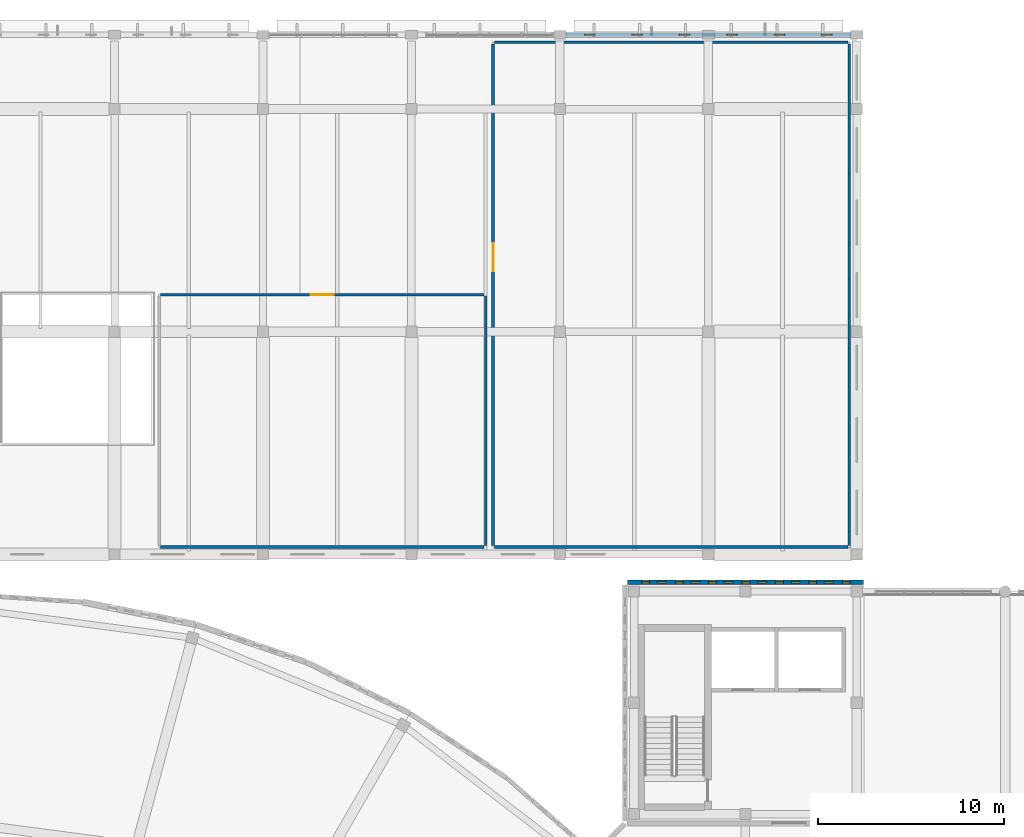
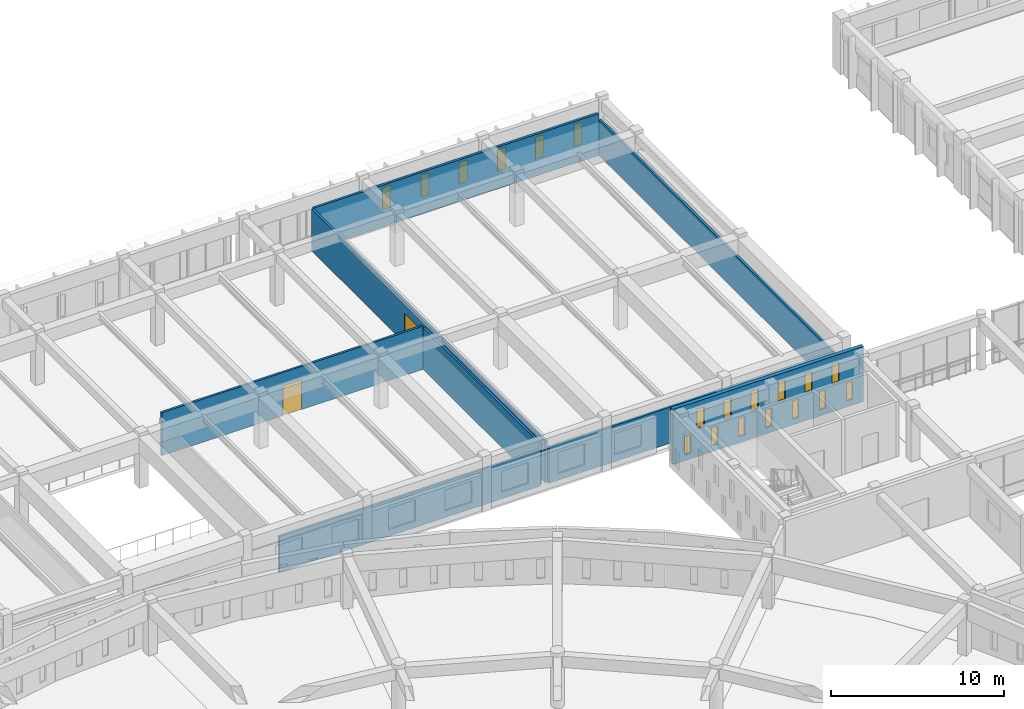
# One storey, part 71 of 98: 19 windows, 9 walls, 2 doors, 21 openings.
"""IFC4 building model written with IfcOpenShell, lengths in metres."""

from ifc_helpers import new_model, si_unit, direction, frame, frame_2d, origin, place, context, subcontext, project, spatial, rectangle, extrude, material, layer, layer_set, type_object, element, fill, save


model = new_model("IFC4")

# Units and contexts
model_context = context("Model", 3, precision=1e-05, world=origin(), true_north=direction((0.0, 1.0)))
body_context = subcontext(model_context, "Body", "Model", "MODEL_VIEW")
ifc_project = project(units=[si_unit("LENGTHUNIT", "METRE"), si_unit("AREAUNIT", "SQUARE_METRE"), si_unit("VOLUMEUNIT", "CUBIC_METRE"), si_unit("PLANEANGLEUNIT", "RADIAN"), si_unit("MASSUNIT", "GRAM", prefix="KILO")], contexts=[model_context])

# Site, building, storey
site_placement = place(None, origin())
site = spatial("IfcSite", under=ifc_project, at=site_placement, CompositionType="ELEMENT")
building_placement = place(site_placement, origin())
building = spatial("IfcBuilding", under=site, at=building_placement, Name="Larkveld Mobility Hub", CompositionType="ELEMENT")
storey_placement = place(building_placement, frame((0.0, 0.0, 4.5)))
storey = spatial("IfcBuildingStorey", under=building, at=storey_placement, Name="L01", CompositionType="ELEMENT", Elevation=4.5)

# Wall, openings, windows
ifc_material_1 = material(Name="Fired clay brick 25 MPa", Category="masonry")
ifc_layer_1 = layer(ifc_material_1, 0.260009765625, Name="Fired clay brick 25 MPa", Category="masonry")
ifc_layer_set_1 = layer_set([ifc_layer_1], Name="Fired clay brick 25 MPa")
wall_type_1 = type_object("IfcWallType", Name="WL-BRK-260", PredefinedType="USERDEFINED", material=ifc_layer_set_1)
wall_1_placement = place(storey_placement, frame((96.360107421875, 96.5, 0.0), z_axis=(0.0, 0.0, 1.0), x_axis=(-1.0, 0.0, 0.0)))
wall_1 = element("IfcWall", 1, at=wall_1_placement, inside=storey, type_object=wall_type_1, Name="Square Brick Pavilion N Wall L01-0143", ObjectType="PERFORATED BRICK SCREEN", PredefinedType="USERDEFINED", context=body_context, shape_type="SweptSolid", body=[
    extrude(rectangle(XDim=12.72021484375, YDim=0.260009765625, at=frame_2d((6.360107421875, 0.0))), origin(), (0.0, 0.0, 1.0), 3.89990234375),
])
opening_1_placement = place(wall_1_placement, frame((0.719970703125, 0.0, 0.419921875)))
opening_1 = element("IfcOpeningElement", 2, at=opening_1_placement, cuts=wall_1, Name="Opening W01", PredefinedType="OPENING", context=body_context, shape_type="SweptSolid", body=[
    extrude(rectangle(XDim=0.419921875, YDim=1.280029296875, at=frame_2d((0.2099609375, 0.64013671875))), frame((0.0, 0.14013671875, 0.0), z_axis=(0.0, -1.0, 0.0), x_axis=(1.0, 0.0, 0.0)), (0.0, 0.0, 1.0), 0.280029296875),
])
opening_2_placement = place(wall_1_placement, frame((2.52001953125, 0.0, 0.419921875)))
opening_2 = element("IfcOpeningElement", 3, at=opening_2_placement, cuts=wall_1, Name="Opening W01", PredefinedType="OPENING", context=body_context, shape_type="SweptSolid", body=[
    extrude(rectangle(XDim=0.419921875, YDim=1.280029296875, at=frame_2d((0.2099609375, 0.64013671875))), frame((0.0, 0.14013671875, 0.0), z_axis=(0.0, -1.0, 0.0), x_axis=(1.0, 0.0, 0.0)), (0.0, 0.0, 1.0), 0.280029296875),
])
opening_3_placement = place(wall_1_placement, frame((4.320068359375, 0.0, 0.419921875)))
opening_3 = element("IfcOpeningElement", 4, at=opening_3_placement, cuts=wall_1, Name="Opening W01", PredefinedType="OPENING", context=body_context, shape_type="SweptSolid", body=[
    extrude(rectangle(XDim=0.419921875, YDim=1.280029296875, at=frame_2d((0.2099609375, 0.64013671875))), frame((0.0, 0.14013671875, 0.0), z_axis=(0.0, -1.0, 0.0), x_axis=(1.0, 0.0, 0.0)), (0.0, 0.0, 1.0), 0.280029296875),
])
opening_4_placement = place(wall_1_placement, frame((6.1201171875, 0.0, 0.419921875)))
opening_4 = element("IfcOpeningElement", 5, at=opening_4_placement, cuts=wall_1, Name="Opening W01", PredefinedType="OPENING", context=body_context, shape_type="SweptSolid", body=[
    extrude(rectangle(XDim=0.419921875, YDim=1.280029296875, at=frame_2d((0.2099609375, 0.64013671875))), frame((0.0, 0.14013671875, 0.0), z_axis=(0.0, -1.0, 0.0), x_axis=(1.0, 0.0, 0.0)), (0.0, 0.0, 1.0), 0.280029296875),
])
opening_5_placement = place(wall_1_placement, frame((7.919921875, 0.0, 0.419921875)))
opening_5 = element("IfcOpeningElement", 6, at=opening_5_placement, cuts=wall_1, Name="Opening W01", PredefinedType="OPENING", context=body_context, shape_type="SweptSolid", body=[
    extrude(rectangle(XDim=0.419921875, YDim=1.280029296875, at=frame_2d((0.2099609375, 0.64013671875))), frame((0.0, 0.14013671875, 0.0), z_axis=(0.0, -1.0, 0.0), x_axis=(1.0, 0.0, 0.0)), (0.0, 0.0, 1.0), 0.280029296875),
])
opening_6_placement = place(wall_1_placement, frame((9.719970703125, 0.0, 0.419921875)))
opening_6 = element("IfcOpeningElement", 7, at=opening_6_placement, cuts=wall_1, Name="Opening W01", PredefinedType="OPENING", context=body_context, shape_type="SweptSolid", body=[
    extrude(rectangle(XDim=0.419921875, YDim=1.280029296875, at=frame_2d((0.2099609375, 0.64013671875))), frame((0.0, 0.14013671875, 0.0), z_axis=(0.0, -1.0, 0.0), x_axis=(1.0, 0.0, 0.0)), (0.0, 0.0, 1.0), 0.280029296875),
])
opening_7_placement = place(wall_1_placement, frame((11.52001953125, 0.0, 0.419921875)))
opening_7 = element("IfcOpeningElement", 8, at=opening_7_placement, cuts=wall_1, Name="Opening W01", PredefinedType="OPENING", context=body_context, shape_type="SweptSolid", body=[
    extrude(rectangle(XDim=0.419921875, YDim=1.280029296875, at=frame_2d((0.2099609375, 0.64013671875))), frame((0.0, 0.14013671875, 0.0), z_axis=(0.0, -1.0, 0.0), x_axis=(1.0, 0.0, 0.0)), (0.0, 0.0, 1.0), 0.280029296875),
])
opening_8_placement = place(wall_1_placement, frame((1.6201171875, 0.0, 1.97998046875)))
opening_8 = element("IfcOpeningElement", 9, at=opening_8_placement, cuts=wall_1, Name="Opening W03", PredefinedType="OPENING", context=body_context, shape_type="SweptSolid", body=[
    extrude(rectangle(XDim=0.47998046875, YDim=1.360107421875, at=frame_2d((0.239990234375, 0.68017578125))), frame((0.0, 0.14013671875, 0.0), z_axis=(0.0, -1.0, 0.0), x_axis=(1.0, 0.0, 0.0)), (0.0, 0.0, 1.0), 0.280029296875),
])
opening_9_placement = place(wall_1_placement, frame((3.419921875, 0.0, 1.97998046875)))
opening_9 = element("IfcOpeningElement", 10, at=opening_9_placement, cuts=wall_1, Name="Opening W03", PredefinedType="OPENING", context=body_context, shape_type="SweptSolid", body=[
    extrude(rectangle(XDim=0.47998046875, YDim=1.360107421875, at=frame_2d((0.239990234375, 0.68017578125))), frame((0.0, 0.14013671875, 0.0), z_axis=(0.0, -1.0, 0.0), x_axis=(1.0, 0.0, 0.0)), (0.0, 0.0, 1.0), 0.280029296875),
])
opening_10_placement = place(wall_1_placement, frame((5.219970703125, 0.0, 1.97998046875)))
opening_10 = element("IfcOpeningElement", 11, at=opening_10_placement, cuts=wall_1, Name="Opening W03", PredefinedType="OPENING", context=body_context, shape_type="SweptSolid", body=[
    extrude(rectangle(XDim=0.47998046875, YDim=1.360107421875, at=frame_2d((0.239990234375, 0.68017578125))), frame((0.0, 0.14013671875, 0.0), z_axis=(0.0, -1.0, 0.0), x_axis=(1.0, 0.0, 0.0)), (0.0, 0.0, 1.0), 0.280029296875),
])
opening_11_placement = place(wall_1_placement, frame((7.02001953125, 0.0, 1.97998046875)))
opening_11 = element("IfcOpeningElement", 12, at=opening_11_placement, cuts=wall_1, Name="Opening W03", PredefinedType="OPENING", context=body_context, shape_type="SweptSolid", body=[
    extrude(rectangle(XDim=0.47998046875, YDim=1.360107421875, at=frame_2d((0.239990234375, 0.68017578125))), frame((0.0, 0.14013671875, 0.0), z_axis=(0.0, -1.0, 0.0), x_axis=(1.0, 0.0, 0.0)), (0.0, 0.0, 1.0), 0.280029296875),
])
opening_12_placement = place(wall_1_placement, frame((8.820068359375, 0.0, 1.97998046875)))
opening_12 = element("IfcOpeningElement", 13, at=opening_12_placement, cuts=wall_1, Name="Opening W03", PredefinedType="OPENING", context=body_context, shape_type="SweptSolid", body=[
    extrude(rectangle(XDim=0.47998046875, YDim=1.360107421875, at=frame_2d((0.239990234375, 0.68017578125))), frame((0.0, 0.14013671875, 0.0), z_axis=(0.0, -1.0, 0.0), x_axis=(1.0, 0.0, 0.0)), (0.0, 0.0, 1.0), 0.280029296875),
])
opening_13_placement = place(wall_1_placement, frame((10.6201171875, 0.0, 1.97998046875)))
opening_13 = element("IfcOpeningElement", 14, at=opening_13_placement, cuts=wall_1, Name="Opening W03", PredefinedType="OPENING", context=body_context, shape_type="SweptSolid", body=[
    extrude(rectangle(XDim=0.47998046875, YDim=1.360107421875, at=frame_2d((0.239990234375, 0.68017578125))), frame((0.0, 0.14013671875, 0.0), z_axis=(0.0, -1.0, 0.0), x_axis=(1.0, 0.0, 0.0)), (0.0, 0.0, 1.0), 0.280029296875),
])
ifc_material_2 = material(Name="Extruded aluminium ventilation grille", Category="aluminium")
window_type_1 = type_object("IfcWindowType", Name="WN-VENT-01", PartitioningType="SINGLE_PANEL", PredefinedType="WINDOW", material=ifc_material_2)
window_1_placement = place(opening_1_placement, origin())
window_1 = element("IfcWindow", 15, at=window_1_placement, inside=storey, type_object=window_type_1, Name="Window W01 (0717)", OverallHeight=1.280029296875, OverallWidth=0.419921875, PartitioningType="SINGLE_PANEL", PredefinedType="WINDOW", context=body_context, shape_type="SweptSolid", body=[
    extrude(rectangle(XDim=0.419921875, YDim=1.280029296875, at=frame_2d((0.2099609375, 0.64013671875))), frame((0.0, 0.030029296875, 0.0), z_axis=(0.0, -1.0, 0.0), x_axis=(1.0, 0.0, 0.0)), (0.0, 0.0, 1.0), 0.06005859375),
])
fill(opening_1, window_1)
window_2_placement = place(opening_2_placement, origin())
window_2 = element("IfcWindow", 16, at=window_2_placement, inside=storey, type_object=window_type_1, Name="Window W01 (0718)", OverallHeight=1.280029296875, OverallWidth=0.419921875, PartitioningType="SINGLE_PANEL", PredefinedType="WINDOW", context=body_context, shape_type="SweptSolid", body=[
    extrude(rectangle(XDim=0.419921875, YDim=1.280029296875, at=frame_2d((0.2099609375, 0.64013671875))), frame((0.0, 0.030029296875, 0.0), z_axis=(0.0, -1.0, 0.0), x_axis=(1.0, 0.0, 0.0)), (0.0, 0.0, 1.0), 0.06005859375),
])
fill(opening_2, window_2)
window_3_placement = place(opening_3_placement, origin())
window_3 = element("IfcWindow", 17, at=window_3_placement, inside=storey, type_object=window_type_1, Name="Window W01 (0719)", OverallHeight=1.280029296875, OverallWidth=0.419921875, PartitioningType="SINGLE_PANEL", PredefinedType="WINDOW", context=body_context, shape_type="SweptSolid", body=[
    extrude(rectangle(XDim=0.419921875, YDim=1.280029296875, at=frame_2d((0.2099609375, 0.64013671875))), frame((0.0, 0.030029296875, 0.0), z_axis=(0.0, -1.0, 0.0), x_axis=(1.0, 0.0, 0.0)), (0.0, 0.0, 1.0), 0.06005859375),
])
fill(opening_3, window_3)
window_4_placement = place(opening_4_placement, origin())
window_4 = element("IfcWindow", 18, at=window_4_placement, inside=storey, type_object=window_type_1, Name="Window W01 (0720)", OverallHeight=1.280029296875, OverallWidth=0.419921875, PartitioningType="SINGLE_PANEL", PredefinedType="WINDOW", context=body_context, shape_type="SweptSolid", body=[
    extrude(rectangle(XDim=0.419921875, YDim=1.280029296875, at=frame_2d((0.2099609375, 0.64013671875))), frame((0.0, 0.030029296875, 0.0), z_axis=(0.0, -1.0, 0.0), x_axis=(1.0, 0.0, 0.0)), (0.0, 0.0, 1.0), 0.06005859375),
])
fill(opening_4, window_4)
window_5_placement = place(opening_5_placement, origin())
window_5 = element("IfcWindow", 19, at=window_5_placement, inside=storey, type_object=window_type_1, Name="Window W01 (0721)", OverallHeight=1.280029296875, OverallWidth=0.419921875, PartitioningType="SINGLE_PANEL", PredefinedType="WINDOW", context=body_context, shape_type="SweptSolid", body=[
    extrude(rectangle(XDim=0.419921875, YDim=1.280029296875, at=frame_2d((0.2099609375, 0.64013671875))), frame((0.0, 0.030029296875, 0.0), z_axis=(0.0, -1.0, 0.0), x_axis=(1.0, 0.0, 0.0)), (0.0, 0.0, 1.0), 0.06005859375),
])
fill(opening_5, window_5)
window_6_placement = place(opening_6_placement, origin())
window_6 = element("IfcWindow", 20, at=window_6_placement, inside=storey, type_object=window_type_1, Name="Window W01 (0722)", OverallHeight=1.280029296875, OverallWidth=0.419921875, PartitioningType="SINGLE_PANEL", PredefinedType="WINDOW", context=body_context, shape_type="SweptSolid", body=[
    extrude(rectangle(XDim=0.419921875, YDim=1.280029296875, at=frame_2d((0.2099609375, 0.64013671875))), frame((0.0, 0.030029296875, 0.0), z_axis=(0.0, -1.0, 0.0), x_axis=(1.0, 0.0, 0.0)), (0.0, 0.0, 1.0), 0.06005859375),
])
fill(opening_6, window_6)
window_7_placement = place(opening_7_placement, origin())
window_7 = element("IfcWindow", 21, at=window_7_placement, inside=storey, type_object=window_type_1, Name="Window W01 (0723)", OverallHeight=1.280029296875, OverallWidth=0.419921875, PartitioningType="SINGLE_PANEL", PredefinedType="WINDOW", context=body_context, shape_type="SweptSolid", body=[
    extrude(rectangle(XDim=0.419921875, YDim=1.280029296875, at=frame_2d((0.2099609375, 0.64013671875))), frame((0.0, 0.030029296875, 0.0), z_axis=(0.0, -1.0, 0.0), x_axis=(1.0, 0.0, 0.0)), (0.0, 0.0, 1.0), 0.06005859375),
])
fill(opening_7, window_7)
window_type_2 = type_object("IfcWindowType", Name="WN-VENT-03", PartitioningType="SINGLE_PANEL", PredefinedType="WINDOW", material=ifc_material_2)
window_8_placement = place(opening_8_placement, origin())
window_8 = element("IfcWindow", 22, at=window_8_placement, inside=storey, type_object=window_type_2, Name="Window W03 (0724)", OverallHeight=1.360107421875, OverallWidth=0.47998046875, PartitioningType="SINGLE_PANEL", PredefinedType="WINDOW", context=body_context, shape_type="SweptSolid", body=[
    extrude(rectangle(XDim=0.47998046875, YDim=1.360107421875, at=frame_2d((0.239990234375, 0.68017578125))), frame((0.0, 0.030029296875, 0.0), z_axis=(0.0, -1.0, 0.0), x_axis=(1.0, 0.0, 0.0)), (0.0, 0.0, 1.0), 0.06005859375),
])
fill(opening_8, window_8)
window_9_placement = place(opening_9_placement, origin())
window_9 = element("IfcWindow", 23, at=window_9_placement, inside=storey, type_object=window_type_2, Name="Window W03 (0725)", OverallHeight=1.360107421875, OverallWidth=0.47998046875, PartitioningType="SINGLE_PANEL", PredefinedType="WINDOW", context=body_context, shape_type="SweptSolid", body=[
    extrude(rectangle(XDim=0.47998046875, YDim=1.360107421875, at=frame_2d((0.239990234375, 0.68017578125))), frame((0.0, 0.030029296875, 0.0), z_axis=(0.0, -1.0, 0.0), x_axis=(1.0, 0.0, 0.0)), (0.0, 0.0, 1.0), 0.06005859375),
])
fill(opening_9, window_9)
window_10_placement = place(opening_10_placement, origin())
window_10 = element("IfcWindow", 24, at=window_10_placement, inside=storey, type_object=window_type_2, Name="Window W03 (0726)", OverallHeight=1.360107421875, OverallWidth=0.47998046875, PartitioningType="SINGLE_PANEL", PredefinedType="WINDOW", context=body_context, shape_type="SweptSolid", body=[
    extrude(rectangle(XDim=0.47998046875, YDim=1.360107421875, at=frame_2d((0.239990234375, 0.68017578125))), frame((0.0, 0.030029296875, 0.0), z_axis=(0.0, -1.0, 0.0), x_axis=(1.0, 0.0, 0.0)), (0.0, 0.0, 1.0), 0.06005859375),
])
fill(opening_10, window_10)
window_11_placement = place(opening_11_placement, origin())
window_11 = element("IfcWindow", 25, at=window_11_placement, inside=storey, type_object=window_type_2, Name="Window W03 (0727)", OverallHeight=1.360107421875, OverallWidth=0.47998046875, PartitioningType="SINGLE_PANEL", PredefinedType="WINDOW", context=body_context, shape_type="SweptSolid", body=[
    extrude(rectangle(XDim=0.47998046875, YDim=1.360107421875, at=frame_2d((0.239990234375, 0.68017578125))), frame((0.0, 0.030029296875, 0.0), z_axis=(0.0, -1.0, 0.0), x_axis=(1.0, 0.0, 0.0)), (0.0, 0.0, 1.0), 0.06005859375),
])
fill(opening_11, window_11)
window_12_placement = place(opening_12_placement, origin())
window_12 = element("IfcWindow", 26, at=window_12_placement, inside=storey, type_object=window_type_2, Name="Window W03 (0728)", OverallHeight=1.360107421875, OverallWidth=0.47998046875, PartitioningType="SINGLE_PANEL", PredefinedType="WINDOW", context=body_context, shape_type="SweptSolid", body=[
    extrude(rectangle(XDim=0.47998046875, YDim=1.360107421875, at=frame_2d((0.239990234375, 0.68017578125))), frame((0.0, 0.030029296875, 0.0), z_axis=(0.0, -1.0, 0.0), x_axis=(1.0, 0.0, 0.0)), (0.0, 0.0, 1.0), 0.06005859375),
])
fill(opening_12, window_12)
window_13_placement = place(opening_13_placement, origin())
window_13 = element("IfcWindow", 27, at=window_13_placement, inside=storey, type_object=window_type_2, Name="Window W03 (0729)", OverallHeight=1.360107421875, OverallWidth=0.47998046875, PartitioningType="SINGLE_PANEL", PredefinedType="WINDOW", context=body_context, shape_type="SweptSolid", body=[
    extrude(rectangle(XDim=0.47998046875, YDim=1.360107421875, at=frame_2d((0.239990234375, 0.68017578125))), frame((0.0, 0.030029296875, 0.0), z_axis=(0.0, -1.0, 0.0), x_axis=(1.0, 0.0, 0.0)), (0.0, 0.0, 1.0), 0.06005859375),
])
fill(opening_13, window_13)

ifc_material_3 = material(Name="Glazed architectural ceramic masonry 20 MPa", Category="masonry")
ifc_layer_2 = layer(ifc_material_3, 0.179931640625, Name="Glazed architectural ceramic masonry 20 MPa", Category="masonry")
ifc_layer_set_2 = layer_set([ifc_layer_2], Name="Glazed architectural ceramic masonry 20 MPa")
wall_type_2 = type_object("IfcWallType", Name="WL-COB-180", PredefinedType="USERDEFINED", material=ifc_layer_set_2)
wall_2_placement = place(storey_placement, frame((95.6650390625, 126.0, 0.0), z_axis=(0.0, 0.0, 1.0), x_axis=(-1.0, 0.0, 0.0)))
wall_2 = element("IfcWall", 28, at=wall_2_placement, inside=storey, type_object=wall_type_2, Name="Bicycle Hall Ceramic Cobogo Screen L01-0189", ObjectType="CERAMIC COBOGO SCREEN", PredefinedType="USERDEFINED", context=body_context, shape_type="SweptSolid", body=[
    extrude(rectangle(XDim=15.330078125, YDim=0.179931640625, at=frame_2d((7.6650390625, 0.0))), origin(), (0.0, 0.0, 1.0), 2.6650390625),
])
opening_14_placement = place(wall_2_placement, frame((0.998046875, 0.0, 0.85009765625)))
opening_14 = element("IfcOpeningElement", 29, at=opening_14_placement, cuts=wall_2, Name="Opening W04", PredefinedType="OPENING", context=body_context, shape_type="SweptSolid", body=[
    extrude(rectangle(XDim=0.56005859375, YDim=1.550048828125, at=frame_2d((0.280029296875, 0.77490234375))), frame((0.0, 0.10009765625, 0.0), z_axis=(0.0, -1.0, 0.0), x_axis=(1.0, 0.0, 0.0)), (0.0, 0.0, 1.0), 0.199951171875),
])
opening_15_placement = place(wall_2_placement, frame((3.552978515625, 0.0, 0.85009765625)))
opening_15 = element("IfcOpeningElement", 30, at=opening_15_placement, cuts=wall_2, Name="Opening W04", PredefinedType="OPENING", context=body_context, shape_type="SweptSolid", body=[
    extrude(rectangle(XDim=0.56005859375, YDim=1.550048828125, at=frame_2d((0.280029296875, 0.77490234375))), frame((0.0, 0.10009765625, 0.0), z_axis=(0.0, -1.0, 0.0), x_axis=(1.0, 0.0, 0.0)), (0.0, 0.0, 1.0), 0.199951171875),
])
opening_16_placement = place(wall_2_placement, frame((6.10791015625, 0.0, 0.85009765625)))
opening_16 = element("IfcOpeningElement", 31, at=opening_16_placement, cuts=wall_2, Name="Opening W04", PredefinedType="OPENING", context=body_context, shape_type="SweptSolid", body=[
    extrude(rectangle(XDim=0.56005859375, YDim=1.550048828125, at=frame_2d((0.280029296875, 0.77490234375))), frame((0.0, 0.10009765625, 0.0), z_axis=(0.0, -1.0, 0.0), x_axis=(1.0, 0.0, 0.0)), (0.0, 0.0, 1.0), 0.199951171875),
])
opening_17_placement = place(wall_2_placement, frame((8.6630859375, 0.0, 0.85009765625)))
opening_17 = element("IfcOpeningElement", 32, at=opening_17_placement, cuts=wall_2, Name="Opening W04", PredefinedType="OPENING", context=body_context, shape_type="SweptSolid", body=[
    extrude(rectangle(XDim=0.56005859375, YDim=1.550048828125, at=frame_2d((0.280029296875, 0.77490234375))), frame((0.0, 0.10009765625, 0.0), z_axis=(0.0, -1.0, 0.0), x_axis=(1.0, 0.0, 0.0)), (0.0, 0.0, 1.0), 0.199951171875),
])
opening_18_placement = place(wall_2_placement, frame((11.218017578125, 0.0, 0.85009765625)))
opening_18 = element("IfcOpeningElement", 33, at=opening_18_placement, cuts=wall_2, Name="Opening W04", PredefinedType="OPENING", context=body_context, shape_type="SweptSolid", body=[
    extrude(rectangle(XDim=0.56005859375, YDim=1.550048828125, at=frame_2d((0.280029296875, 0.77490234375))), frame((0.0, 0.10009765625, 0.0), z_axis=(0.0, -1.0, 0.0), x_axis=(1.0, 0.0, 0.0)), (0.0, 0.0, 1.0), 0.199951171875),
])
opening_19_placement = place(wall_2_placement, frame((13.77294921875, 0.0, 0.85009765625)))
opening_19 = element("IfcOpeningElement", 34, at=opening_19_placement, cuts=wall_2, Name="Opening W04", PredefinedType="OPENING", context=body_context, shape_type="SweptSolid", body=[
    extrude(rectangle(XDim=0.56005859375, YDim=1.550048828125, at=frame_2d((0.280029296875, 0.77490234375))), frame((0.0, 0.10009765625, 0.0), z_axis=(0.0, -1.0, 0.0), x_axis=(1.0, 0.0, 0.0)), (0.0, 0.0, 1.0), 0.199951171875),
])
ifc_material_4 = material(Name="Extruded aluminium cobogo vent frame", Category="aluminium")
window_type_3 = type_object("IfcWindowType", Name="WN-VENT-04", PartitioningType="SINGLE_PANEL", PredefinedType="WINDOW", material=ifc_material_4)
window_14_placement = place(opening_14_placement, origin())
window_14 = element("IfcWindow", 35, at=window_14_placement, inside=storey, type_object=window_type_3, Name="Window W04 (0885)", OverallHeight=1.550048828125, OverallWidth=0.56005859375, PartitioningType="SINGLE_PANEL", PredefinedType="WINDOW", context=body_context, shape_type="SweptSolid", body=[
    extrude(rectangle(XDim=0.56005859375, YDim=1.550048828125, at=frame_2d((0.280029296875, 0.77490234375))), frame((0.0, 0.030029296875, 0.0), z_axis=(0.0, -1.0, 0.0), x_axis=(1.0, 0.0, 0.0)), (0.0, 0.0, 1.0), 0.06005859375),
])
fill(opening_14, window_14)
window_15_placement = place(opening_15_placement, origin())
window_15 = element("IfcWindow", 36, at=window_15_placement, inside=storey, type_object=window_type_3, Name="Window W04 (0886)", OverallHeight=1.550048828125, OverallWidth=0.56005859375, PartitioningType="SINGLE_PANEL", PredefinedType="WINDOW", context=body_context, shape_type="SweptSolid", body=[
    extrude(rectangle(XDim=0.56005859375, YDim=1.550048828125, at=frame_2d((0.280029296875, 0.77490234375))), frame((0.0, 0.030029296875, 0.0), z_axis=(0.0, -1.0, 0.0), x_axis=(1.0, 0.0, 0.0)), (0.0, 0.0, 1.0), 0.06005859375),
])
fill(opening_15, window_15)
window_16_placement = place(opening_16_placement, origin())
window_16 = element("IfcWindow", 37, at=window_16_placement, inside=storey, type_object=window_type_3, Name="Window W04 (0887)", OverallHeight=1.550048828125, OverallWidth=0.56005859375, PartitioningType="SINGLE_PANEL", PredefinedType="WINDOW", context=body_context, shape_type="SweptSolid", body=[
    extrude(rectangle(XDim=0.56005859375, YDim=1.550048828125, at=frame_2d((0.280029296875, 0.77490234375))), frame((0.0, 0.030029296875, 0.0), z_axis=(0.0, -1.0, 0.0), x_axis=(1.0, 0.0, 0.0)), (0.0, 0.0, 1.0), 0.06005859375),
])
fill(opening_16, window_16)
window_17_placement = place(opening_17_placement, origin())
window_17 = element("IfcWindow", 38, at=window_17_placement, inside=storey, type_object=window_type_3, Name="Window W04 (0888)", OverallHeight=1.550048828125, OverallWidth=0.56005859375, PartitioningType="SINGLE_PANEL", PredefinedType="WINDOW", context=body_context, shape_type="SweptSolid", body=[
    extrude(rectangle(XDim=0.56005859375, YDim=1.550048828125, at=frame_2d((0.280029296875, 0.77490234375))), frame((0.0, 0.030029296875, 0.0), z_axis=(0.0, -1.0, 0.0), x_axis=(1.0, 0.0, 0.0)), (0.0, 0.0, 1.0), 0.06005859375),
])
fill(opening_17, window_17)
window_18_placement = place(opening_18_placement, origin())
window_18 = element("IfcWindow", 39, at=window_18_placement, inside=storey, type_object=window_type_3, Name="Window W04 (0889)", OverallHeight=1.550048828125, OverallWidth=0.56005859375, PartitioningType="SINGLE_PANEL", PredefinedType="WINDOW", context=body_context, shape_type="SweptSolid", body=[
    extrude(rectangle(XDim=0.56005859375, YDim=1.550048828125, at=frame_2d((0.280029296875, 0.77490234375))), frame((0.0, 0.030029296875, 0.0), z_axis=(0.0, -1.0, 0.0), x_axis=(1.0, 0.0, 0.0)), (0.0, 0.0, 1.0), 0.06005859375),
])
fill(opening_18, window_18)
window_19_placement = place(opening_19_placement, origin())
window_19 = element("IfcWindow", 40, at=window_19_placement, inside=storey, type_object=window_type_3, Name="Window W04 (0890)", OverallHeight=1.550048828125, OverallWidth=0.56005859375, PartitioningType="SINGLE_PANEL", PredefinedType="WINDOW", context=body_context, shape_type="SweptSolid", body=[
    extrude(rectangle(XDim=0.56005859375, YDim=1.550048828125, at=frame_2d((0.280029296875, 0.77490234375))), frame((0.0, 0.030029296875, 0.0), z_axis=(0.0, -1.0, 0.0), x_axis=(1.0, 0.0, 0.0)), (0.0, 0.0, 1.0), 0.06005859375),
])
fill(opening_19, window_19)

# Wall
ifc_material_5 = material(Name="Concrete blockwork masonry 14 MPa", Category="masonry")
ifc_layer_3 = layer(ifc_material_5, 0.139892578125, Name="Concrete blockwork masonry 14 MPa", Category="masonry")
ifc_layer_set_3 = layer_set([ifc_layer_3], Name="Concrete blockwork masonry 14 MPa")
wall_type_3 = type_object("IfcWallType", Name="WL-PRT-140", PredefinedType="PARTITIONING", material=ifc_layer_set_3)
wall_3_placement = place(storey_placement, frame((58.47998046875, 98.39990234375, 0.0), z_axis=(0.0, 0.0, 1.0), x_axis=(1.0, 0.0, 0.0)))
element("IfcWall", 41, at=wall_3_placement, inside=storey, type_object=wall_type_3, Name="Commuter Shower and Locker Changing Suite Partition 0087", PredefinedType="PARTITIONING", context=body_context, shape_type="SweptSolid", body=[
    extrude(rectangle(XDim=17.43505859375, YDim=0.139892578125, at=frame_2d((8.717529296875, 0.0))), origin(), (0.0, 0.0, 1.0), 2.544921875),
])

# Wall, opening, door
wall_4_placement = place(storey_placement, frame((58.47998046875, 111.9951171875, 0.0), z_axis=(0.0, 0.0, 1.0), x_axis=(1.0, 0.0, 0.0)))
wall_4 = element("IfcWall", 42, at=wall_4_placement, inside=storey, type_object=wall_type_3, Name="Commuter Shower and Locker Changing Suite Partition 0088", PredefinedType="PARTITIONING", context=body_context, shape_type="SweptSolid", body=[
    extrude(rectangle(XDim=17.43505859375, YDim=0.139892578125, at=frame_2d((8.717529296875, 0.0))), origin(), (0.0, 0.0, 1.0), 3.044921875),
])
opening_20_placement = place(wall_4_placement, frame((8.093017578125, 0.0, 0.0)))
opening_20 = element("IfcOpeningElement", 43, at=opening_20_placement, cuts=wall_4, Name="Opening DI11", PredefinedType="OPENING", context=body_context, shape_type="SweptSolid", body=[
    extrude(rectangle(XDim=1.25, YDim=2.10009765625, at=frame_2d((0.625, 1.050048828125))), frame((0.0, 0.080078125, 0.0), z_axis=(0.0, -1.0, 0.0), x_axis=(1.0, 0.0, 0.0)), (0.0, 0.0, 1.0), 0.159912109375),
])
ifc_material_6 = material(Name="Solid-core hardwood timber door in aluminium frame", Category="wood")
door_type_1 = type_object("IfcDoorType", Name="DR-INT-125", OperationType="NOTDEFINED", PredefinedType="DOOR", material=ifc_material_6)
door_1_placement = place(opening_20_placement, origin())
door_1 = element("IfcDoor", 44, at=door_1_placement, inside=storey, type_object=door_type_1, Name="Commuter Shower and Locker Changing Suite Door 0023", OperationType="SINGLE_SWING_RIGHT", OverallHeight=2.10009765625, OverallWidth=1.25, PredefinedType="DOOR", context=body_context, shape_type="SweptSolid", body=[
    extrude(rectangle(XDim=1.25, YDim=2.10009765625, at=frame_2d((0.625, 1.050048828125))), frame((0.0, 0.02490234375, 0.0), z_axis=(0.0, -1.0, 0.0), x_axis=(1.0, 0.0, 0.0)), (0.0, 0.0, 1.0), 0.050048828125),
])
fill(opening_20, door_1)

# Walls
wall_5_placement = place(storey_placement, frame((75.9951171875, 98.47998046875, 0.0), z_axis=(0.0, 0.0, 1.0), x_axis=(0.0, 1.0, 0.0)))
element("IfcWall", 45, at=wall_5_placement, inside=storey, type_object=wall_type_3, Name="Commuter Shower and Locker Changing Suite Partition 0090", PredefinedType="PARTITIONING", context=body_context, shape_type="SweptSolid", body=[
    extrude(rectangle(XDim=13.43505859375, YDim=0.139892578125, at=frame_2d((6.717529296875, 0.0))), origin(), (0.0, 0.0, 1.0), 2.945068359375),
])
ifc_layer_4 = layer(ifc_material_5, 0.14990234375, Name="Concrete blockwork masonry 14 MPa", Category="masonry")
ifc_layer_set_4 = layer_set([ifc_layer_4], Name="Concrete blockwork masonry 14 MPa")
wall_type_4 = type_object("IfcWallType", Name="WL-PRT-150", PredefinedType="PARTITIONING", material=ifc_layer_set_4)
wall_6_placement = place(storey_placement, frame((76.47998046875, 98.39990234375, 0.0), z_axis=(0.0, 0.0, 1.0), x_axis=(1.0, 0.0, 0.0)))
element("IfcWall", 46, at=wall_6_placement, inside=storey, type_object=wall_type_4, Name="Shared-Mobility Co-Working Waiting Lounge Partition 0091", PredefinedType="PARTITIONING", context=body_context, shape_type="SweptSolid", body=[
    extrude(rectangle(XDim=19.037109375, YDim=0.14990234375, at=frame_2d((9.5185546875, 0.0))), origin(), (0.0, 0.0, 1.0), 2.544921875),
])
wall_7_placement = place(storey_placement, frame((76.47998046875, 125.596923828125, 0.0), z_axis=(0.0, 0.0, 1.0), x_axis=(1.0, 0.0, 0.0)))
element("IfcWall", 47, at=wall_7_placement, inside=storey, type_object=wall_type_4, Name="Shared-Mobility Co-Working Waiting Lounge Partition 0092", PredefinedType="PARTITIONING", context=body_context, shape_type="SweptSolid", body=[
    extrude(rectangle(XDim=19.037109375, YDim=0.14990234375, at=frame_2d((9.5185546875, 0.0))), origin(), (0.0, 0.0, 1.0), 2.945068359375),
])

# Wall, opening, door
wall_8_placement = place(storey_placement, frame((76.39990234375, 98.47998046875, 0.0), z_axis=(0.0, 0.0, 1.0), x_axis=(0.0, 1.0, 0.0)))
wall_8 = element("IfcWall", 48, at=wall_8_placement, inside=storey, type_object=wall_type_4, Name="Shared-Mobility Co-Working Waiting Lounge Partition 0093", PredefinedType="PARTITIONING", context=body_context, shape_type="SweptSolid", body=[
    extrude(rectangle(XDim=27.037109375, YDim=0.14990234375, at=frame_2d((13.5185546875, 0.0))), origin(), (0.0, 0.0, 1.0), 2.945068359375),
])
opening_21_placement = place(wall_8_placement, frame((14.787109375, 0.0, 0.0)))
opening_21 = element("IfcOpeningElement", 49, at=opening_21_placement, cuts=wall_8, Name="Opening DI12", PredefinedType="OPENING", context=body_context, shape_type="SweptSolid", body=[
    extrude(rectangle(XDim=1.5, YDim=2.10009765625, at=frame_2d((0.75, 1.050048828125))), frame((0.0, 0.0849609375, 0.0), z_axis=(0.0, -1.0, 0.0), x_axis=(1.0, 0.0, 0.0)), (0.0, 0.0, 1.0), 0.169921875),
])
door_type_2 = type_object("IfcDoorType", Name="DR-INT-150", OperationType="NOTDEFINED", PredefinedType="DOOR", material=ifc_material_6)
door_2_placement = place(opening_21_placement, origin())
door_2 = element("IfcDoor", 50, at=door_2_placement, inside=storey, type_object=door_type_2, Name="Shared-Mobility Co-Working Waiting Lounge Door 0024", OperationType="DOUBLE_DOOR_SINGLE_SWING", OverallHeight=2.10009765625, OverallWidth=1.5, PredefinedType="DOOR", context=body_context, shape_type="SweptSolid", body=[
    extrude(rectangle(XDim=1.5, YDim=2.10009765625, at=frame_2d((0.75, 1.050048828125))), frame((0.0, 0.02490234375, 0.0), z_axis=(0.0, -1.0, 0.0), x_axis=(1.0, 0.0, 0.0)), (0.0, 0.0, 1.0), 0.050048828125),
])
fill(opening_21, door_2)

# Wall
wall_9_placement = place(storey_placement, frame((95.596923828125, 98.47998046875, 0.0), z_axis=(0.0, 0.0, 1.0), x_axis=(0.0, 1.0, 0.0)))
element("IfcWall", 51, at=wall_9_placement, inside=storey, type_object=wall_type_4, Name="Shared-Mobility Co-Working Waiting Lounge Partition 0094", PredefinedType="PARTITIONING", context=body_context, shape_type="SweptSolid", body=[
    extrude(rectangle(XDim=27.037109375, YDim=0.14990234375, at=frame_2d((13.5185546875, 0.0))), origin(), (0.0, 0.0, 1.0), 2.544921875),
])

save(model, "model.ifc")
